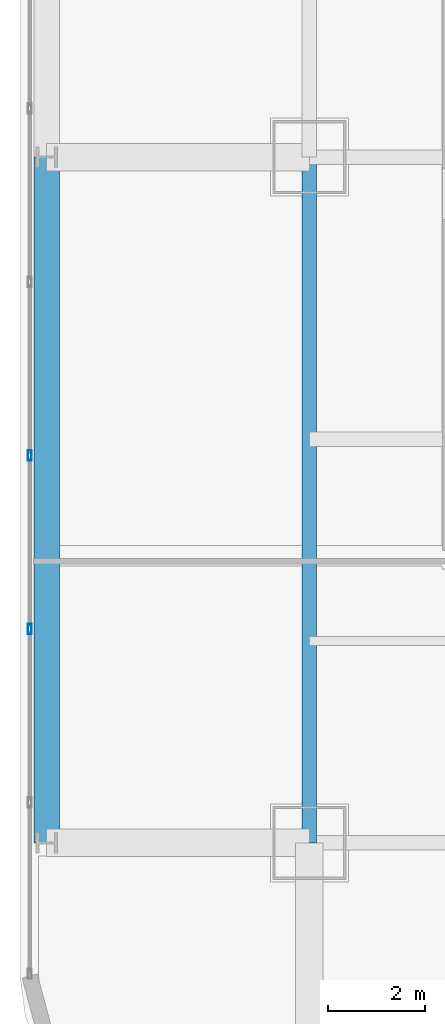
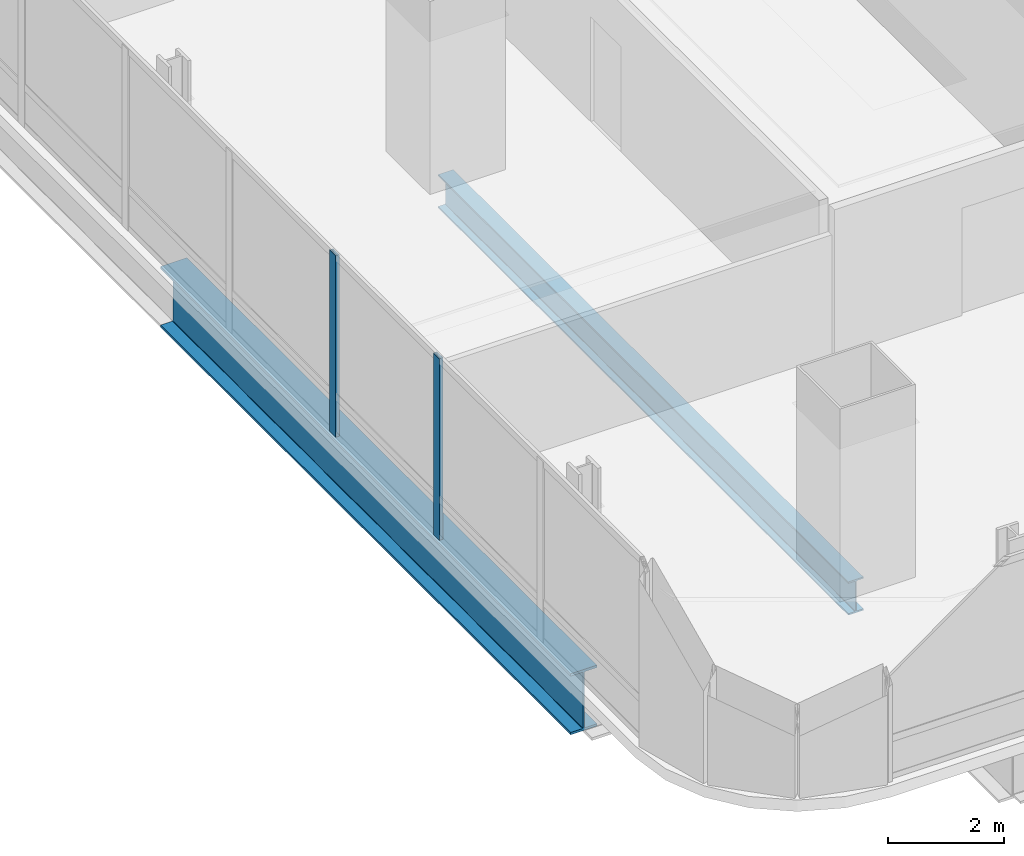
# One storey, part 5 of 37: 2 beams, 2 members, 1 element without a shape of its own.
"""IFC4 building model written with IfcOpenShell, lengths in metres."""

from ifc_helpers import new_model, si_unit, direction, frame, origin, origin_2d, place, context, subcontext, project, spatial, hollow_rectangle, i_section, extrude, material, material_profile, profile_set, type_object, element, aggregate, save


model = new_model("IFC4")

# Units and contexts
model_context = context("Model", 3, precision=1e-05, world=origin(), true_north=direction((0.0, 1.0)))
body_context = subcontext(model_context, "Body", "Model", "MODEL_VIEW")
ifc_project = project(units=[si_unit("LENGTHUNIT", "METRE"), si_unit("AREAUNIT", "SQUARE_METRE"), si_unit("VOLUMEUNIT", "CUBIC_METRE"), si_unit("PLANEANGLEUNIT", "RADIAN"), si_unit("MASSUNIT", "GRAM", prefix="KILO")], contexts=[model_context])

# Site, building, storey
site_placement = place(None, origin())
site = spatial("IfcSite", under=ifc_project, at=site_placement, CompositionType="ELEMENT")
building_placement = place(site_placement, origin())
building = spatial("IfcBuilding", under=site, at=building_placement, Name="Punatoya Terracotta Tower", CompositionType="ELEMENT")
storey_placement = place(building_placement, frame((0.0, 0.0, 44.39990234375)))
storey = spatial("IfcBuildingStorey", under=building, at=storey_placement, Name="L09", CompositionType="ELEMENT", Elevation=44.39990234375)

# Beams
ifc_material_1 = material(Name="Steel S355", Category="steel")
ifc_material_profile_1 = material_profile(ifc_material_1, i_section(OverallWidth=0.300048828125, OverallDepth=0.699951171875, WebThickness=0.01708984375, FlangeThickness=0.031982421875, FilletRadius=0.01806640625, at=origin_2d()))
ifc_profile_set_1 = profile_set([ifc_material_profile_1], Name="Steel S355")
beam_type_1 = type_object("IfcBeamType", Name="BM-PRI-700", PredefinedType="BEAM", material=ifc_profile_set_1)
beam_1_placement = place(storey_placement, frame((-19.10009765625, -17.5, -0.58984375), z_axis=(0.0, 1.0, 0.0), x_axis=(-1.0, 0.0, 0.0)))
element("IfcBeam", 1, at=beam_1_placement, inside=storey, type_object=beam_type_1, Name="BM-L09-RG-W1", PredefinedType="BEAM", context=body_context, shape_type="SweptSolid", body=[
    extrude(i_section(OverallWidth=0.300048828125, OverallDepth=0.699951171875, WebThickness=0.01708984375, FlangeThickness=0.031982421875, FilletRadius=0.01806640625, at=origin_2d()), origin(), (0.0, 0.0, 1.0), 14.10009765625),
])
ifc_material_2 = material(Name="Steel S460", Category="steel")
ifc_material_profile_2 = material_profile(ifc_material_2, i_section(OverallWidth=0.52001953125, OverallDepth=1.280029296875, WebThickness=0.031982421875, FlangeThickness=0.050048828125, FilletRadius=0.01806640625, at=origin_2d()))
ifc_profile_set_2 = profile_set([ifc_material_profile_2], Name="Steel S460")
beam_type_2 = type_object("IfcBeamType", Name="BM-TG-NCK", PredefinedType="BEAM", material=ifc_profile_set_2)
beam_2_placement = place(storey_placement, frame((-24.5, -17.5, -0.8798828125), z_axis=(0.0, 1.0, 0.0), x_axis=(-1.0, 0.0, 0.0)))
element("IfcBeam", 2, at=beam_2_placement, inside=storey, type_object=beam_type_2, Name="BM-L09-PER-W1", PredefinedType="BEAM", context=body_context, shape_type="SweptSolid", body=[
    extrude(i_section(OverallWidth=0.52001953125, OverallDepth=1.280029296875, WebThickness=0.031982421875, FlangeThickness=0.050048828125, FilletRadius=0.01806640625, at=origin_2d()), origin(), (0.0, 0.0, 1.0), 14.10009765625),
])

# Curtain wall, members
ifc_material_3 = material(Name="Aluminium 6063-T6 + Double Low-E Glass", Category="aluminium")
curtain_wall_type = type_object("IfcCurtainWallType", Name="CW-M1", PredefinedType="NOTDEFINED", material=ifc_material_3)
curtain_wall_placement = place(storey_placement, origin())
curtain_wall = element("IfcCurtainWall", 3, at=curtain_wall_placement, inside=storey, type_object=curtain_wall_type, Name="L09 Curtain Wall CW-L09-W13-1", PredefinedType="NOTDEFINED")
ifc_material_4 = material(Name="Aluminium 6063-T6", Category="aluminium")
ifc_material_profile_3 = material_profile(ifc_material_4, hollow_rectangle(XDim=0.074951171875, YDim=0.2099609375, WallThickness=0.00439453125, at=origin_2d()))
ifc_profile_set_3 = profile_set([ifc_material_profile_3], Name="Aluminium 6063-T6")
member_type = type_object("IfcMemberType", Name="CW-MUL-M1", PredefinedType="MULLION", material=ifc_profile_set_3)
member_1_placement = place(storey_placement, frame((-24.85009765625, -9.534912109375, 0.0), z_axis=(0.0, 0.0, 1.0), x_axis=(1.0, 0.0, 0.0)))
member_1 = element("IfcMember", 4, at=member_1_placement, type_object=member_type, Name="CW-L09-W13-1 Mullion 07", PredefinedType="MULLION", context=body_context, shape_type="SweptSolid", body=[
    extrude(hollow_rectangle(XDim=0.074951171875, YDim=0.2099609375, WallThickness=0.00439453125, at=origin_2d()), origin(), (0.0, 0.0, 1.0), 3.81005859375),
])
member_2_placement = place(storey_placement, frame((-24.85009765625, -13.10205078125, 0.0), z_axis=(0.0, 0.0, 1.0), x_axis=(1.0, 0.0, 0.0)))
member_2 = element("IfcMember", 5, at=member_2_placement, type_object=member_type, Name="CW-L09-W13-1 Mullion 08", PredefinedType="MULLION", context=body_context, shape_type="SweptSolid", body=[
    extrude(hollow_rectangle(XDim=0.074951171875, YDim=0.2099609375, WallThickness=0.00439453125, at=origin_2d()), origin(), (0.0, 0.0, 1.0), 3.81005859375),
])
aggregate(curtain_wall, [member_1, member_2])

save(model, "model.ifc")
